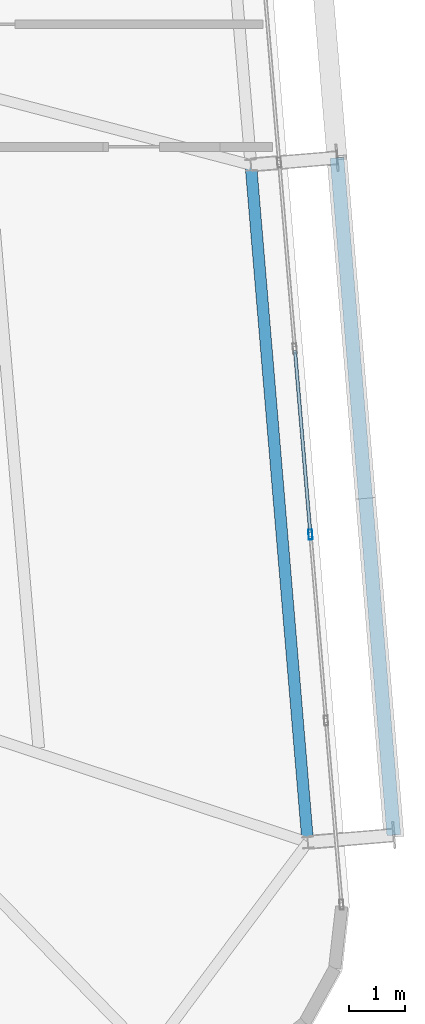
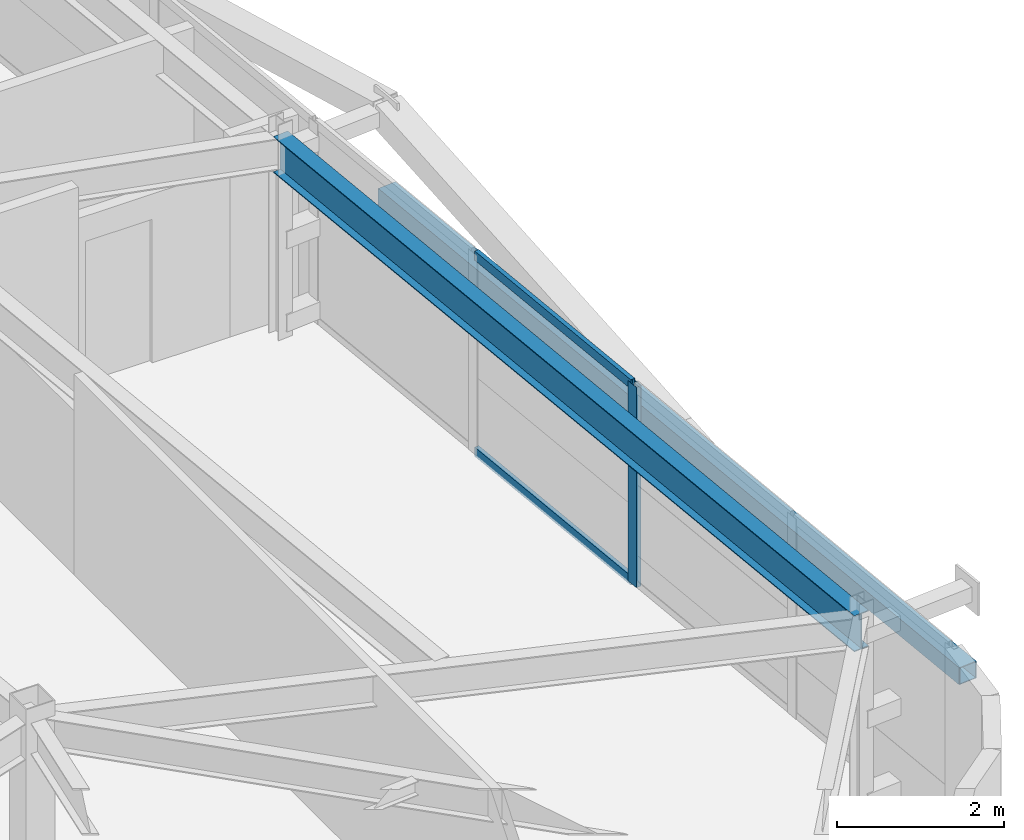
# One storey, part 23 of 44: 4 members, 1 beam, 1 element without a shape of its own.
"""IFC4 building model written with IfcOpenShell, lengths in metres."""

from ifc_helpers import new_model, si_unit, direction, frame, origin, origin_2d, place, context, subcontext, project, spatial, hollow_rectangle, i_section, extrude, source, transform, mapped, material, layer, layer_set, material_profile, profile_set, type_object, element, aggregate, save


model = new_model("IFC4")

# Units and contexts
model_context = context("Model", 3, precision=1e-05, world=origin(), true_north=direction((0.0, 1.0)))
body_context = subcontext(model_context, "Body", "Model", "MODEL_VIEW")
ifc_project = project(units=[si_unit("LENGTHUNIT", "METRE"), si_unit("AREAUNIT", "SQUARE_METRE"), si_unit("VOLUMEUNIT", "CUBIC_METRE"), si_unit("PLANEANGLEUNIT", "RADIAN"), si_unit("MASSUNIT", "GRAM", prefix="KILO")], contexts=[model_context])

# Site, building, storey
site_placement = place(None, origin())
site = spatial("IfcSite", under=ifc_project, at=site_placement, CompositionType="ELEMENT")
building_placement = place(site_placement, origin())
building = spatial("IfcBuilding", under=site, at=building_placement, Name="Taldren Reach Tower", CompositionType="ELEMENT")
storey_placement = place(building_placement, frame((0.0, 0.0, 191.449951171875)))
storey = spatial("IfcBuildingStorey", under=building, at=storey_placement, Name="L58", CompositionType="ELEMENT", Elevation=191.449951171875)

# Beam
ifc_material_1 = material(Name="Steel Gr 350 (350PLUS)", Category="steel")
ifc_material_profile_1 = material_profile(ifc_material_1, i_section(OverallWidth=0.208984375, OverallDepth=0.528076171875, WebThickness=0.009521484375, FlangeThickness=0.01318359375, at=origin_2d()), Name="530UB82.0")
ifc_profile_set_1 = profile_set([ifc_material_profile_1], Name="Steel Gr 350 (350PLUS)")
beam_type = type_object("IfcBeamType", Name="SP-UB530B", PredefinedType="SPANDREL", material=ifc_profile_set_1)
shared_shape_1 = source(origin(), body_context, "Body", "SweptSolid", [
    extrude(i_section(OverallWidth=0.208984375, OverallDepth=0.528076171875, WebThickness=0.009521484375, FlangeThickness=0.01318359375, at=origin_2d()), origin(), (0.0, 0.0, 1.0), 12.199951171875),
])
beam_placement = place(storey_placement, frame((61.63818359375, 9.317626953125, 2.666015625), z_axis=(-0.083688038336, 0.996492003099, 0.0), x_axis=(-0.996492003099, -0.083688038336, 0.0)))
element("IfcBeam", 1, at=beam_placement, inside=storey, type_object=beam_type, Name="Perimeter spandrel B4 E1-E2 L58", PredefinedType="SPANDREL", context=body_context, shape_type="MappedRepresentation", body=[
    mapped(shared_shape_1, transform((0.0, 0.0, 0.0), scale=1.0)),
])

# Member
ifc_material_2 = material(Name="Steel Gr 350 (C350L0)", Category="steel")
ifc_material_profile_2 = material_profile(ifc_material_2, hollow_rectangle(XDim=0.25, YDim=0.25, WallThickness=0.010009765625, at=origin_2d()), Name="250x250x10.0SHS")
ifc_profile_set_2 = profile_set([ifc_material_profile_2], Name="Steel Gr 350 (C350L0)")
member_type_1 = type_object("IfcMemberType", Name="MB-POST250", PredefinedType="POST", material=ifc_profile_set_2)
shared_shape_2 = source(origin(), body_context, "Body", "SweptSolid", [
    extrude(hollow_rectangle(XDim=0.25, YDim=0.25, WallThickness=0.010009765625, at=origin_2d()), origin(), (0.0, 0.0, 1.0), 12.199951171875),
])
member_1_placement = place(storey_placement, frame((63.1826171875, 9.447265625, 1.43505859375), z_axis=(-0.083668166953, 0.99649367175, 0.0), x_axis=(-0.99649367175, -0.083668166953, 0.0)))
element("IfcMember", 2, at=member_1_placement, inside=storey, type_object=member_type_1, Name="Exoskeleton mid-height ring chord B4-E1 L58", PredefinedType="POST", context=body_context, shape_type="MappedRepresentation", body=[
    mapped(shared_shape_2, transform((0.0, 0.0, 0.0), scale=1.0)),
])

# Curtain wall, members
ifc_material_3 = material(Name="Aluminium and Low-E Glass Unitised System", Category="aluminium")
ifc_layer = layer(ifc_material_3, 0.159912109375)
ifc_layer_set = layer_set([ifc_layer], Name="Aluminium and Low-E Glass Unitised System")
curtain_wall_type = type_object("IfcCurtainWallType", Name="CW-SYS-5", PredefinedType="NOTDEFINED", material=ifc_layer_set)
curtain_wall_placement = place(storey_placement, origin())
curtain_wall = element("IfcCurtainWall", 3, at=curtain_wall_placement, inside=storey, type_object=curtain_wall_type, Name="Unitised curtain wall CW-L58-E", PredefinedType="NOTDEFINED")
ifc_material_4 = material(Name="Anodised Aluminium 6063-T6", Category="aluminium")
ifc_material_profile_3 = material_profile(ifc_material_4, hollow_rectangle(XDim=0.070068359375, YDim=0.179931640625, WallThickness=0.00390625, at=origin_2d()), Name="ALU-180x70x4RHS")
ifc_profile_set_3 = profile_set([ifc_material_profile_3], Name="Anodised Aluminium 6063-T6")
member_type_2 = type_object("IfcMemberType", Name="CW-MUL-180", PredefinedType="MULLION", material=ifc_profile_set_3)
shared_shape_3 = source(origin(), body_context, "Body", "SweptSolid", [
    extrude(hollow_rectangle(XDim=0.070068359375, YDim=0.179931640625, WallThickness=0.00390625, at=origin_2d()), origin(), (0.0, 0.0, 1.0), 2.929931640625),
])
member_2_placement = place(storey_placement, frame((61.68603515625, 14.841064453125, 0.0), z_axis=(0.0, 0.0, 1.0), x_axis=(-0.996492847789, -0.083677979808, 0.0)))
member_2 = element("IfcMember", 4, at=member_2_placement, type_object=member_type_2, Name="CW-5 mullion 3", PredefinedType="MULLION", context=body_context, shape_type="MappedRepresentation", body=[
    mapped(shared_shape_3, transform((0.0, 0.0, 0.0), scale=1.0)),
])
ifc_material_profile_4 = material_profile(ifc_material_4, hollow_rectangle(XDim=0.06005859375, YDim=0.135009765625, WallThickness=0.00341796875, at=origin_2d()), Name="ALU-135x60x3.5RHS")
ifc_profile_set_4 = profile_set([ifc_material_profile_4], Name="Anodised Aluminium 6063-T6")
member_type_3 = type_object("IfcMemberType", Name="CW-TRN-150", PredefinedType="USERDEFINED", material=ifc_profile_set_4)
shared_shape_4 = source(origin(), body_context, "Body", "SweptSolid", [
    extrude(hollow_rectangle(XDim=0.06005859375, YDim=0.135009765625, WallThickness=0.00341796875, at=origin_2d()), origin(), (0.0, 0.0, 1.0), 3.280029296875),
])
member_3_placement = place(storey_placement, frame((61.68310546875, 14.875732421875, 0.030029296875), z_axis=(-0.083661452101, 0.996494235524, 0.0), x_axis=(-0.996494235524, -0.083661452101, 0.0)))
member_3 = element("IfcMember", 5, at=member_3_placement, type_object=member_type_3, Name="CW-5 transom 3.1", ObjectType="TRANSOM", PredefinedType="USERDEFINED", context=body_context, shape_type="MappedRepresentation", body=[
    mapped(shared_shape_4, transform((0.0, 0.0, 0.0), scale=1.0)),
])
member_4_placement = place(storey_placement, frame((61.68310546875, 14.875732421875, 2.900146484375), z_axis=(-0.083661452101, 0.996494235524, 0.0), x_axis=(-0.996494235524, -0.083661452101, 0.0)))
member_4 = element("IfcMember", 6, at=member_4_placement, type_object=member_type_3, Name="CW-5 transom 3.2", ObjectType="TRANSOM", PredefinedType="USERDEFINED", context=body_context, shape_type="MappedRepresentation", body=[
    mapped(shared_shape_4, transform((0.0, 0.0, 0.0), scale=1.0)),
])
aggregate(curtain_wall, [member_2, member_3, member_4])

save(model, "model.ifc")
